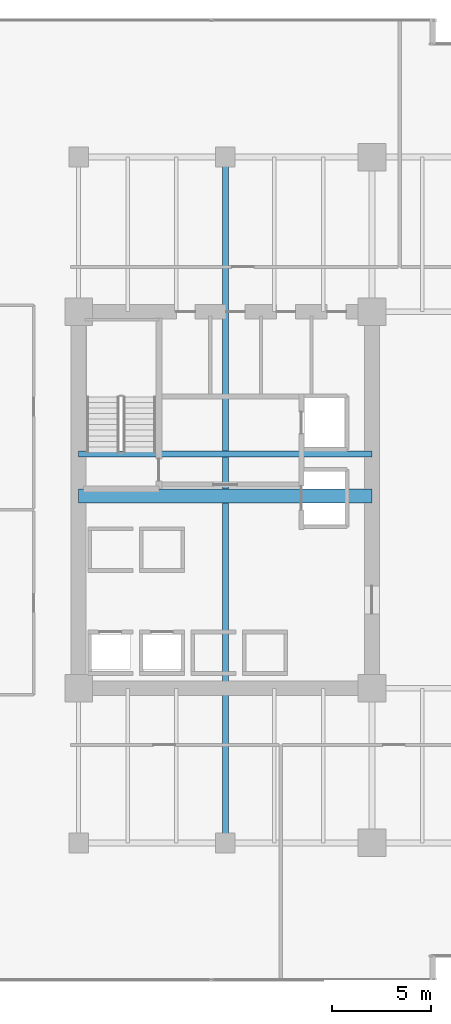
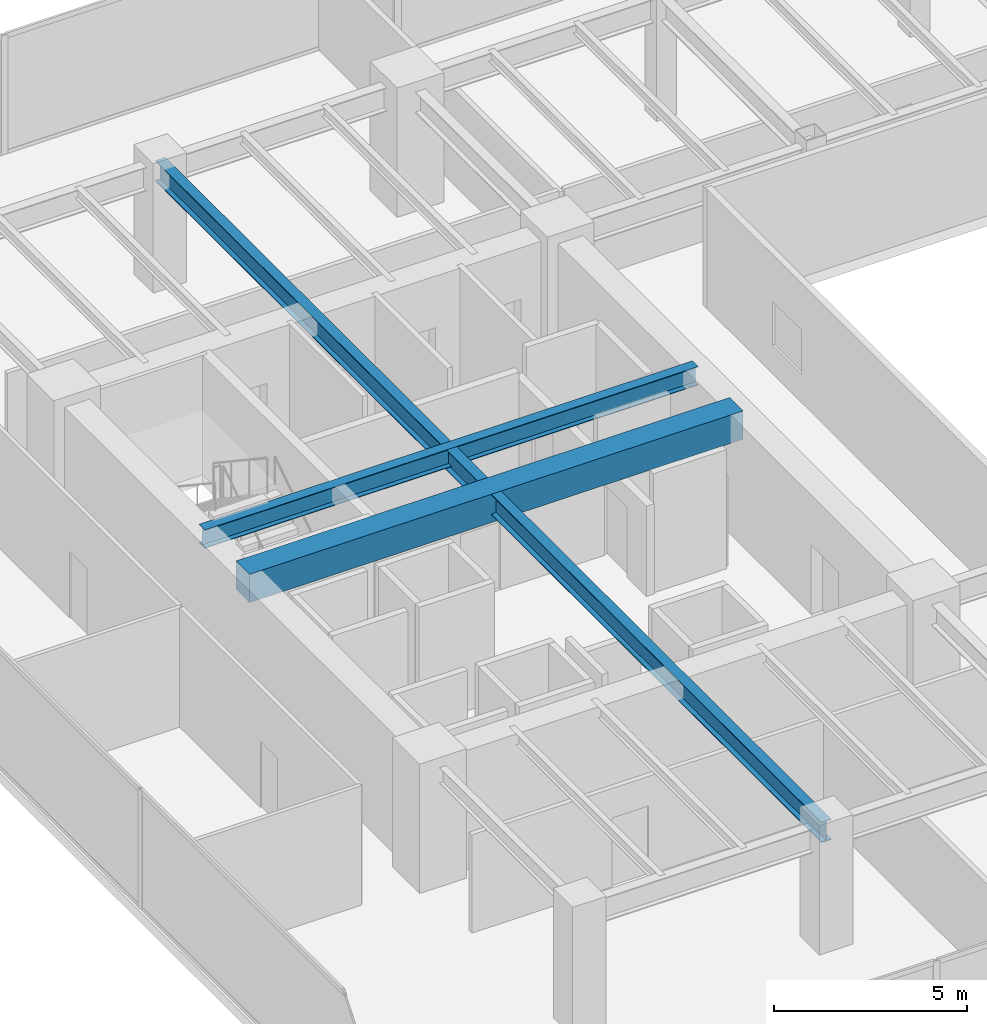
# One storey, part 7 of 35: 3 beams.
"""IFC4 building model written with IfcOpenShell, lengths in metres."""

from ifc_helpers import new_model, si_unit, direction, frame, origin, origin_2d, place, context, subcontext, project, spatial, rectangle, i_section, extrude, source, transform, mapped, material, material_profile, profile_set, type_object, type_shapes, element, save


model = new_model("IFC4")

# Units and contexts
model_context = context("Model", 3, precision=1e-05, world=origin(), true_north=direction((0.0, 1.0)))
body_context = subcontext(model_context, "Body", "Model", "MODEL_VIEW")
ifc_project = project(units=[si_unit("LENGTHUNIT", "METRE"), si_unit("AREAUNIT", "SQUARE_METRE"), si_unit("VOLUMEUNIT", "CUBIC_METRE"), si_unit("PLANEANGLEUNIT", "RADIAN"), si_unit("MASSUNIT", "GRAM", prefix="KILO")], contexts=[model_context])

# Site, building, storey
site_placement = place(None, origin())
site = spatial("IfcSite", under=ifc_project, at=site_placement, CompositionType="ELEMENT")
building_placement = place(site_placement, origin())
building = spatial("IfcBuilding", under=site, at=building_placement, Name="Haelvirn Gate Laboratories", CompositionType="ELEMENT")
storey_placement = place(building_placement, frame((0.0, 0.0, 82.60009765625)))
storey = spatial("IfcBuildingStorey", under=building, at=storey_placement, Name="L20", CompositionType="ELEMENT", Elevation=82.60009765625)

# Beams
ifc_material_1 = material(Name="Concrete C60/75", Category="concrete")
ifc_material_profile_1 = material_profile(ifc_material_1, rectangle(XDim=0.699951171875, YDim=0.89990234375, at=origin_2d()), Name="RCB-700x900")
ifc_profile_set_1 = profile_set([ifc_material_profile_1], Name="Concrete C60/75")
beam_type_1 = type_object("IfcBeamType", Name="BM-RCB-900", PredefinedType="LINTEL", material=ifc_profile_set_1)
shared_shape_1 = source(origin(), body_context, "Body", "SweptSolid", [
    extrude(rectangle(XDim=0.699951171875, YDim=0.89990234375, at=origin_2d()), origin(), (0.0, 0.0, 1.0), 14.800048828125),
])
type_shapes(beam_type_1, [shared_shape_1])
beam_1_placement = place(storey_placement, frame((7.39990234375, 24.5, 3.329833984375), z_axis=(1.0, 0.0, 0.0), x_axis=(0.0, 1.0, 0.0)))
element("IfcBeam", 1, at=beam_1_placement, inside=storey, type_object=beam_type_1, Name="L20 West Core Coupling Beam", PredefinedType="LINTEL", context=body_context, shape_type="MappedRepresentation", body=[
    mapped(shared_shape_1, transform((0.0, 0.0, 0.0), scale=1.0)),
])
ifc_material_2 = material(Name="Steel SM355", Category="steel")
ifc_material_profile_2 = material_profile(ifc_material_2, i_section(OverallWidth=0.300048828125, OverallDepth=0.587890625, WebThickness=0.011962890625, FlangeThickness=0.02001953125, at=origin_2d()), Name="H-588x300x12x20")
ifc_profile_set_2 = profile_set([ifc_material_profile_2], Name="Steel SM355")
beam_type_2 = type_object("IfcBeamType", Name="BM-G-588", PredefinedType="BEAM", material=ifc_profile_set_2)
shared_shape_2 = source(origin(), body_context, "Body", "SweptSolid", [
    extrude(i_section(OverallWidth=0.300048828125, OverallDepth=0.587890625, WebThickness=0.011962890625, FlangeThickness=0.02001953125, at=origin_2d()), origin(), (0.0, 0.0, 1.0), 14.800048828125),
])
type_shapes(beam_type_2, [shared_shape_2])
beam_2_placement = place(storey_placement, frame((7.39990234375, 26.6201171875, 3.48583984375), z_axis=(1.0, 0.0, 0.0), x_axis=(0.0, 1.0, 0.0)))
element("IfcBeam", 2, at=beam_2_placement, inside=storey, type_object=beam_type_2, Name="L20 Stair ST1 Landing Header", PredefinedType="BEAM", context=body_context, shape_type="MappedRepresentation", body=[
    mapped(shared_shape_2, transform((0.0, 0.0, 0.0), scale=1.0)),
])
ifc_material_profile_3 = material_profile(ifc_material_2, i_section(OverallWidth=0.300048828125, OverallDepth=0.64990234375, WebThickness=0.012939453125, FlangeThickness=0.02197265625, at=origin_2d()), Name="H-650x300x13x22")
ifc_profile_set_3 = profile_set([ifc_material_profile_3], Name="Steel SM355")
beam_type_3 = type_object("IfcBeamType", Name="BM-G-650", PredefinedType="BEAM", material=ifc_profile_set_3)
shared_shape_3 = source(origin(), body_context, "Body", "SweptSolid", [
    extrude(i_section(OverallWidth=0.300048828125, OverallDepth=0.64990234375, WebThickness=0.012939453125, FlangeThickness=0.02197265625, at=origin_2d()), origin(), (0.0, 0.0, 1.0), 34.60009765625),
])
type_shapes(beam_type_3, [shared_shape_3])
beam_3_placement = place(storey_placement, frame((14.800048828125, 7.0, 3.454833984375), z_axis=(0.0, 1.0, 0.0), x_axis=(-1.0, 0.0, 0.0)))
element("IfcBeam", 3, at=beam_3_placement, inside=storey, type_object=beam_type_3, Name="L20 Frame Girder X14.8 (7.0-41.6)", PredefinedType="BEAM", context=body_context, shape_type="MappedRepresentation", body=[
    mapped(shared_shape_3, transform((0.0, 0.0, 0.0), scale=1.0)),
])

save(model, "model.ifc")
